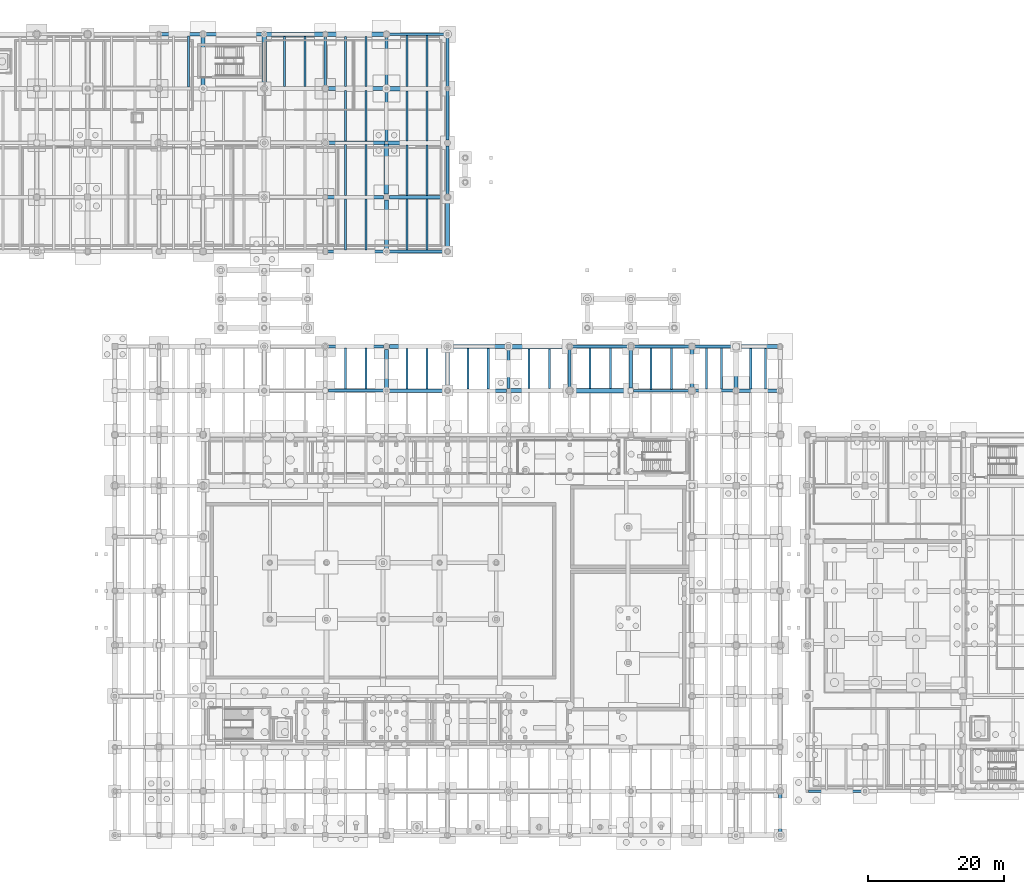
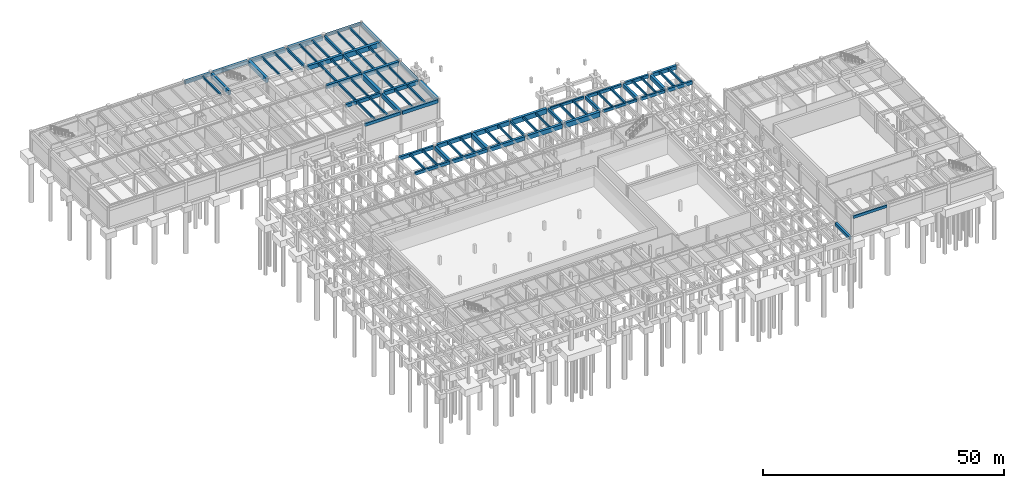
# One storey, part 25 of 36: 84 beams.
"""IFC4 building model written with IfcOpenShell, lengths in metres."""

import ifcopenshell
import ifcopenshell.guid

model = None  # the IFC model being written
_history = None  # IfcOwnerHistory: only IFC2X3 demands one
_inside = {}  # id of a spatial element -> (the spatial element, [elements in it])
_under = {}  # id of a project, library or spatial element -> (it, [spatial elements below it])
_declared = {}  # id of a project -> (the project, [libraries it declares])
_typed = {}  # id of a type object -> (the type object, [elements of that type])
_made_of = {}  # id of a material, layer set ... -> (it, [elements and type objects made of it])


def new_model(schema):
    """Start an empty IFC model of exactly this schema.

    Asked for "IFC4X3", IfcOpenShell would pick the latest addendum, in which some entities
    have other attributes; the version numbers below select the first issue.
    IFC2X3 requires an IfcOwnerHistory on every rooted entity: one is made here for all.
    """
    global model, _history
    if schema == "IFC4X3":
        model = ifcopenshell.file(schema_version=(4, 3, 0, 0))
    else:
        model = ifcopenshell.file(schema=schema)
    _inside.clear()
    _under.clear()
    _declared.clear()
    _typed.clear()
    _made_of.clear()
    _history = None
    if model.schema == "IFC2X3":
        org = make("IfcOrganization", Name="unknown")
        user = make(
            "IfcPersonAndOrganization",
            ThePerson=make("IfcPerson", FamilyName="unknown"),
            TheOrganization=org,
        )
        app = make(
            "IfcApplication",
            ApplicationDeveloper=org,
            Version="unknown",
            ApplicationFullName="unknown",
            ApplicationIdentifier="unknown",
        )
        _history = make(
            "IfcOwnerHistory",
            OwningUser=user,
            OwningApplication=app,
            ChangeAction="ADDED",
            CreationDate=0,
        )
    return model


def make(cls, **values):
    """One entity of the class cls with the attributes given. An attribute that is None is left unset."""
    return model.create_entity(
        cls, **{name: value for name, value in values.items() if value is not None}
    )


def rooted(cls, **values):
    """An entity with a GlobalId (a new one), such as an element, a storey or a relation."""
    return make(cls, GlobalId=ifcopenshell.guid.new(), OwnerHistory=_history, **values)


def si_unit(unit_type, name, prefix=None):
    """IfcSIUnit, for example si_unit("LENGTHUNIT", "METRE", prefix="MILLI")."""
    return make("IfcSIUnit", UnitType=unit_type, Prefix=prefix, Name=name)


def assignment(units):
    """IfcUnitAssignment: the units of a project."""
    return None if units is None else make("IfcUnitAssignment", Units=units)


def point(xyz):
    """IfcCartesianPoint."""
    return None if xyz is None else make("IfcCartesianPoint", Coordinates=xyz)


def direction(xyz):
    """IfcDirection."""
    return None if xyz is None else make("IfcDirection", DirectionRatios=xyz)


def frame(location, z_axis=None, x_axis=None):
    """IfcAxis2Placement3D, a coordinate frame: its origin and axes. An axis left out is left unset."""
    return make(
        "IfcAxis2Placement3D",
        Location=point(location),
        Axis=direction(z_axis),
        RefDirection=direction(x_axis),
    )


def frame_2d(location, x_axis=None):
    """IfcAxis2Placement2D, a coordinate frame in the plane: its origin and x axis."""
    return make(
        "IfcAxis2Placement2D", Location=point(location), RefDirection=direction(x_axis)
    )


def origin():
    """The frame at (0, 0, 0) with its axes left unset."""
    return frame((0.0, 0.0, 0.0))


def origin_2d():
    """The frame at (0, 0) in the plane with its x axis left unset."""
    return frame_2d((0.0, 0.0))


def place(relative_to, where):
    """IfcLocalPlacement: puts the frame where relative to a parent placement (None: the world)."""
    return make(
        "IfcLocalPlacement", PlacementRelTo=relative_to, RelativePlacement=where
    )


def context(
    kind, dimensions, precision=None, world=None, true_north=None, identifier=None
):
    """IfcGeometricRepresentationContext, for example the 3D "Model" context."""
    return make(
        "IfcGeometricRepresentationContext",
        ContextIdentifier=identifier,
        ContextType=kind,
        CoordinateSpaceDimension=dimensions,
        Precision=precision,
        WorldCoordinateSystem=world,
        TrueNorth=true_north,
    )


def subcontext(parent, identifier, kind, view, scale=None):
    """IfcGeometricRepresentationSubContext, for example "Body" below "Model"."""
    return make(
        "IfcGeometricRepresentationSubContext",
        ContextIdentifier=identifier,
        ContextType=kind,
        ParentContext=parent,
        TargetScale=scale,
        TargetView=view,
    )


def project(units=None, contexts=None):
    """IfcProject with its units and contexts."""
    return rooted(
        "IfcProject",
        Name="project",
        RepresentationContexts=contexts,
        UnitsInContext=assignment(units),
    )


def spatial(cls, under=None, at=None, **own):
    """A site, building, storey or space (cls), placed at a placement, below another one or the project."""
    s = rooted(cls, ObjectPlacement=at, **own)
    if under is not None:
        _under.setdefault(under.id(), (under, []))[1].append(s)
    return s


def profile(cls, at=None, kind="AREA", **sizes):
    """A parametric profile (cls). Its sizes go by their IFC names, for example OverallWidth=200.0."""
    return make(cls, ProfileType=kind, Position=at, **sizes)


def rectangle(**sizes):
    """IfcRectangleProfileDef."""
    return profile("IfcRectangleProfileDef", **sizes)


def extrude(swept, where, along, depth):
    """IfcExtrudedAreaSolid: the profile swept, set in the frame where, extruded along a direction by depth."""
    return make(
        "IfcExtrudedAreaSolid",
        SweptArea=swept,
        Position=where,
        ExtrudedDirection=direction(along),
        Depth=depth,
    )


def shape(context_of_items, identifier, shape_type, items):
    """IfcShapeRepresentation: the items that make up one representation, for example the "Body"."""
    return make(
        "IfcShapeRepresentation",
        ContextOfItems=context_of_items,
        RepresentationIdentifier=identifier,
        RepresentationType=shape_type,
        Items=items,
    )


def material(Name=None, Category=None):
    """IfcMaterial."""
    return make("IfcMaterial", Name=Name, Category=Category)


def material_profile(
    of_material, cross_section, Name=None, Category=None, Priority=None
):
    """IfcMaterialProfile: a cross section and its material."""
    return make(
        "IfcMaterialProfile",
        Name=Name,
        Material=of_material,
        Profile=cross_section,
        Priority=Priority,
        Category=Category,
    )


def profile_set(profiles, Name=None, composite=None):
    """IfcMaterialProfileSet."""
    return make(
        "IfcMaterialProfileSet",
        Name=Name,
        MaterialProfiles=profiles,
        CompositeProfile=composite,
    )


def made_of(thing, what):
    """Note that an element or type object is made of a material, layer set ...; save() writes the relation."""
    if what is not None:
        _made_of.setdefault(what.id(), (what, []))[1].append(thing)
    return thing


def type_object(cls, material=None, **own):
    """A type object (cls), such as IfcWallType, which elements share."""
    return made_of(rooted(cls, **own), material)


def element(
    cls,
    number,
    at=None,
    inside=None,
    cuts=None,
    type_object=None,
    material=None,
    context=None,
    identifier="Body",
    shape_type=None,
    held_by="IfcProductDefinitionShape",
    body=None,
    shapes=None,
    **own,
):
    """One element of the class cls, such as IfcWall. Its Tag is "e" and its number.

    at: its placement. inside: the storey or other place that contains it. cuts: it is an
    opening in that element (IfcRelVoidsElement). A single representation is given by context,
    identifier, shape_type and body (its items); several are given by shapes. held_by: the class
    of the entity that holds the representations. save() writes the other relations.
    """
    e = rooted(cls, Tag="e%d" % number, ObjectPlacement=at, **own)
    if body is not None:
        shapes = [shape(context, identifier, shape_type, body)]
    if shapes is not None:
        e.Representation = make(held_by, Representations=shapes)
    if inside is not None:
        _inside.setdefault(inside.id(), (inside, []))[1].append(e)
    if cuts is not None:
        rooted(
            "IfcRelVoidsElement", RelatingBuildingElement=cuts, RelatedOpeningElement=e
        )
    if type_object is not None:
        _typed.setdefault(type_object.id(), (type_object, []))[1].append(e)
    return made_of(e, material)


def aggregate(whole, parts):
    """IfcRelAggregates: a whole, such as a stair, and the parts it consists of."""
    return rooted("IfcRelAggregates", RelatingObject=whole, RelatedObjects=parts)


def save(model, path):
    """Write the relations noted so far, then the file.

    IfcRelAggregates (storeys below a building ...), IfcRelContainedInSpatialStructure (elements
    in a storey), IfcRelDefinesByType, IfcRelAssociatesMaterial and IfcRelDeclares: one each for
    every whole, place, type object, material and project.
    """
    for whole, parts in _under.values():
        aggregate(whole, parts)
    for where, things in _inside.values():
        rooted(
            "IfcRelContainedInSpatialStructure",
            RelatedElements=things,
            RelatingStructure=where,
        )
    for kind, things in _typed.values():
        rooted("IfcRelDefinesByType", RelatedObjects=things, RelatingType=kind)
    for what, things in _made_of.values():
        rooted("IfcRelAssociatesMaterial", RelatedObjects=things, RelatingMaterial=what)
    for by, libraries in _declared.values():
        rooted("IfcRelDeclares", RelatingContext=by, RelatedDefinitions=libraries)
    model.write(path)


model = new_model("IFC4")

# Units and contexts
model_context = context("Model", 3, precision=1e-05, world=origin(), true_north=direction((0.0, 1.0)))
body_context = subcontext(model_context, "Body", "Model", "MODEL_VIEW")
ifc_project = project(units=[si_unit("LENGTHUNIT", "METRE"), si_unit("AREAUNIT", "SQUARE_METRE"), si_unit("VOLUMEUNIT", "CUBIC_METRE"), si_unit("PLANEANGLEUNIT", "RADIAN"), si_unit("MASSUNIT", "GRAM", prefix="KILO"), si_unit("THERMODYNAMICTEMPERATUREUNIT", "KELVIN"), si_unit("POWERUNIT", "WATT")], contexts=[model_context])

# Site, building, storey
site_placement = place(None, origin())
site = spatial("IfcSite", under=ifc_project, at=site_placement, CompositionType="ELEMENT")
building_placement = place(site_placement, origin())
building = spatial("IfcBuilding", under=site, at=building_placement, Name="Tepalcoro Natatorium and Aquatics Centre", CompositionType="ELEMENT")
storey_placement = place(building_placement, frame((0.0, 0.0, -5.199951171875)))
storey = spatial("IfcBuildingStorey", under=building, at=storey_placement, Name="B1", CompositionType="ELEMENT", Elevation=-5.199951171875)

# Beams
ifc_material = material(Name="Concrete C40/50 (fc 40 MPa)", Category="concrete")
ifc_material_profile_1 = material_profile(ifc_material, rectangle(XDim=0.39990234375, YDim=0.64990234375, at=origin_2d()), Name="RCB400x650")
ifc_profile_set_1 = profile_set([ifc_material_profile_1], Name="Concrete C40/50 (fc 40 MPa)")
beam_type_1 = type_object("IfcBeamType", Name="BM_RC_400x650", PredefinedType="BEAM", material=ifc_profile_set_1)
beam_1_placement = place(storey_placement, frame((116.409912109375, 65.5, 4.579833984375), z_axis=(1.0, 0.0, 0.0), x_axis=(0.0, 1.0, 0.0)))
element("IfcBeam", 1, at=beam_1_placement, inside=storey, type_object=beam_type_1, Name="V1 B1 Grid Girder X", PredefinedType="BEAM", context=body_context, shape_type="SweptSolid", body=[
    extrude(rectangle(XDim=0.39990234375, YDim=0.64990234375, at=origin_2d()), origin(), (0.0, 0.0, 1.0), 8.130126953125),
])
beam_2_placement = place(storey_placement, frame((107.31005859375, 72.0, 4.43994140625), z_axis=(1.0, 0.0, 0.0), x_axis=(0.0, 1.0, 0.0)))
element("IfcBeam", 2, at=beam_2_placement, inside=storey, type_object=beam_type_1, Name="V1 B1 Grid Girder X", PredefinedType="BEAM", context=body_context, shape_type="SweptSolid", body=[
    extrude(rectangle(XDim=0.39990234375, YDim=0.64990234375, at=origin_2d()), origin(), (0.0, 0.0, 1.0), 8.329833984375),
])
beam_3_placement = place(storey_placement, frame((98.0, 65.81005859375, 4.579833984375), z_axis=(0.0, 1.0, 0.0), x_axis=(-1.0, 0.0, 0.0)))
element("IfcBeam", 3, at=beam_3_placement, inside=storey, type_object=beam_type_1, Name="V1 B1 Grid Girder Y", PredefinedType="BEAM", context=body_context, shape_type="SweptSolid", body=[
    extrude(rectangle(XDim=0.39990234375, YDim=0.64990234375, at=origin_2d()), origin(), (0.0, 0.0, 1.0), 5.929931640625),
])
beam_4_placement = place(storey_placement, frame((142.18505859375, 6.5, 4.579833984375), z_axis=(1.0, 0.0, 0.0), x_axis=(0.0, 1.0, 0.0)))
element("IfcBeam", 4, at=beam_4_placement, inside=storey, type_object=beam_type_1, Name="V2 B1 Grid Girder X", PredefinedType="BEAM", context=body_context, shape_type="SweptSolid", body=[
    extrude(rectangle(XDim=0.39990234375, YDim=0.64990234375, at=origin_2d()), origin(), (0.0, 0.0, 1.0), 8.079833984375),
])
beam_5_placement = place(storey_placement, frame((80.43505859375, 118.0, 4.599853515625), z_axis=(1.0, 0.0, 0.0), x_axis=(0.0, 1.0, 0.0)))
element("IfcBeam", 5, at=beam_5_placement, inside=storey, type_object=beam_type_1, Name="V4 B1 Grid Girder X", PredefinedType="BEAM", context=body_context, shape_type="SweptSolid", body=[
    extrude(rectangle(XDim=0.39990234375, YDim=0.64990234375, at=origin_2d()), origin(), (0.0, 0.0, 1.0), 8.35498046875),
])
beam_6_placement = place(storey_placement, frame((71.0, 110.43505859375, 4.599853515625), z_axis=(0.0, 1.0, 0.0), x_axis=(-1.0, 0.0, 0.0)))
element("IfcBeam", 6, at=beam_6_placement, inside=storey, type_object=beam_type_1, Name="V4 B1 Grid Girder Y", PredefinedType="BEAM", context=body_context, shape_type="SweptSolid", body=[
    extrude(rectangle(XDim=0.39990234375, YDim=0.64990234375, at=origin_2d()), origin(), (0.0, 0.0, 1.0), 7.22998046875),
])
beam_7_placement = place(storey_placement, frame((80.0, 102.18505859375, 4.599853515625), z_axis=(0.0, 1.0, 0.0), x_axis=(-1.0, 0.0, 0.0)))
element("IfcBeam", 7, at=beam_7_placement, inside=storey, type_object=beam_type_1, Name="V4 B1 Grid Girder Y", PredefinedType="BEAM", context=body_context, shape_type="SweptSolid", body=[
    extrude(rectangle(XDim=0.39990234375, YDim=0.64990234375, at=origin_2d()), origin(), (0.0, 0.0, 1.0), 7.60498046875),
])
beam_8_placement = place(storey_placement, frame((89.0, 94.385009765625, 4.43994140625), z_axis=(0.0, 1.0, 0.0), x_axis=(-1.0, 0.0, 0.0)))
element("IfcBeam", 8, at=beam_8_placement, inside=storey, type_object=beam_type_1, Name="V4 B1 Grid Girder Y", PredefinedType="BEAM", context=body_context, shape_type="SweptSolid", body=[
    extrude(rectangle(XDim=0.39990234375, YDim=0.64990234375, at=origin_2d()), origin(), (0.0, 0.0, 1.0), 7.179931640625),
])
ifc_material_profile_2 = material_profile(ifc_material, rectangle(XDim=0.449951171875, YDim=0.75, at=origin_2d()), Name="RCB450x750")
ifc_profile_set_2 = profile_set([ifc_material_profile_2], Name="Concrete C40/50 (fc 40 MPa)")
beam_type_2 = type_object("IfcBeamType", Name="BM_RC_450x750", PredefinedType="BEAM", material=ifc_profile_set_2)
beam_9_placement = place(storey_placement, frame((71.43505859375, 65.5, 4.530029296875), z_axis=(1.0, 0.0, 0.0), x_axis=(0.0, 1.0, 0.0)))
element("IfcBeam", 9, at=beam_9_placement, inside=storey, type_object=beam_type_2, Name="V1 B1 Grid Girder X", PredefinedType="BEAM", context=body_context, shape_type="SweptSolid", body=[
    extrude(rectangle(XDim=0.449951171875, YDim=0.75, at=origin_2d()), origin(), (0.0, 0.0, 1.0), 8.35498046875),
])
beam_10_placement = place(storey_placement, frame((125.4599609375, 65.5, 4.530029296875), z_axis=(1.0, 0.0, 0.0), x_axis=(0.0, 1.0, 0.0)))
element("IfcBeam", 10, at=beam_10_placement, inside=storey, type_object=beam_type_2, Name="V1 B1 Grid Girder X", PredefinedType="BEAM", context=body_context, shape_type="SweptSolid", body=[
    extrude(rectangle(XDim=0.449951171875, YDim=0.75, at=origin_2d()), origin(), (0.0, 0.0, 1.0), 5.755126953125),
])
beam_11_placement = place(storey_placement, frame((116.360107421875, 72.0, 4.389892578125), z_axis=(1.0, 0.0, 0.0), x_axis=(0.0, 1.0, 0.0)))
element("IfcBeam", 11, at=beam_11_placement, inside=storey, type_object=beam_type_2, Name="V1 B1 Grid Girder X", PredefinedType="BEAM", context=body_context, shape_type="SweptSolid", body=[
    extrude(rectangle(XDim=0.449951171875, YDim=0.75, at=origin_2d()), origin(), (0.0, 0.0, 1.0), 8.22998046875),
])
beam_12_placement = place(storey_placement, frame((107.0, 65.860107421875, 4.530029296875), z_axis=(0.0, 1.0, 0.0), x_axis=(-1.0, 0.0, 0.0)))
element("IfcBeam", 12, at=beam_12_placement, inside=storey, type_object=beam_type_2, Name="V1 B1 Grid Girder Y", PredefinedType="BEAM", context=body_context, shape_type="SweptSolid", body=[
    extrude(rectangle(XDim=0.449951171875, YDim=0.75, at=origin_2d()), origin(), (0.0, 0.0, 1.0), 5.829833984375),
])
beam_13_placement = place(storey_placement, frame((71.284912109375, 86.0, 4.550048828125), z_axis=(1.0, 0.0, 0.0), x_axis=(0.0, 1.0, 0.0)))
element("IfcBeam", 13, at=beam_13_placement, inside=storey, type_object=beam_type_2, Name="V4 B1 Grid Girder X", PredefinedType="BEAM", context=body_context, shape_type="SweptSolid", body=[
    extrude(rectangle(XDim=0.449951171875, YDim=0.75, at=origin_2d()), origin(), (0.0, 0.0, 1.0), 8.47998046875),
])
beam_14_placement = place(storey_placement, frame((80.0, 110.2099609375, 4.550048828125), z_axis=(0.0, 1.0, 0.0), x_axis=(-1.0, 0.0, 0.0)))
element("IfcBeam", 14, at=beam_14_placement, inside=storey, type_object=beam_type_2, Name="V4 B1 Grid Girder Y", PredefinedType="BEAM", context=body_context, shape_type="SweptSolid", body=[
    extrude(rectangle(XDim=0.449951171875, YDim=0.75, at=origin_2d()), origin(), (0.0, 0.0, 1.0), 7.35498046875),
])
beam_15_placement = place(storey_placement, frame((89.0, 102.43505859375, 4.550048828125), z_axis=(0.0, 1.0, 0.0), x_axis=(-1.0, 0.0, 0.0)))
element("IfcBeam", 15, at=beam_15_placement, inside=storey, type_object=beam_type_2, Name="V4 B1 Grid Girder Y", PredefinedType="BEAM", context=body_context, shape_type="SweptSolid", body=[
    extrude(rectangle(XDim=0.449951171875, YDim=0.75, at=origin_2d()), origin(), (0.0, 0.0, 1.0), 7.3798828125),
])
ifc_material_profile_3 = material_profile(ifc_material, rectangle(XDim=0.5, YDim=0.85009765625, at=origin_2d()), Name="RCB500x850")
ifc_profile_set_3 = profile_set([ifc_material_profile_3], Name="Concrete C40/50 (fc 40 MPa)")
beam_type_3 = type_object("IfcBeamType", Name="BM_RC_500x850", PredefinedType="BEAM", material=ifc_profile_set_3)
beam_16_placement = place(storey_placement, frame((80.2099609375, 65.5, 4.47998046875), z_axis=(1.0, 0.0, 0.0), x_axis=(0.0, 1.0, 0.0)))
element("IfcBeam", 16, at=beam_16_placement, inside=storey, type_object=beam_type_3, Name="V1 B1 Grid Girder X", PredefinedType="BEAM", context=body_context, shape_type="SweptSolid", body=[
    extrude(rectangle(XDim=0.5, YDim=0.85009765625, at=origin_2d()), origin(), (0.0, 0.0, 1.0), 8.530029296875),
])
beam_17_placement = place(storey_placement, frame((131.784912109375, 65.5, 4.47998046875), z_axis=(1.0, 0.0, 0.0), x_axis=(0.0, 1.0, 0.0)))
element("IfcBeam", 17, at=beam_17_placement, inside=storey, type_object=beam_type_3, Name="V1 B1 Grid Girder X", PredefinedType="BEAM", context=body_context, shape_type="SweptSolid", body=[
    extrude(rectangle(XDim=0.5, YDim=0.85009765625, at=origin_2d()), origin(), (0.0, 0.0, 1.0), 5.97998046875),
])
beam_18_placement = place(storey_placement, frame((71.3349609375, 72.0, 4.47998046875), z_axis=(1.0, 0.0, 0.0), x_axis=(0.0, 1.0, 0.0)))
element("IfcBeam", 18, at=beam_18_placement, inside=storey, type_object=beam_type_3, Name="V1 B1 Grid Girder X", PredefinedType="BEAM", context=body_context, shape_type="SweptSolid", body=[
    extrude(rectangle(XDim=0.5, YDim=0.85009765625, at=origin_2d()), origin(), (0.0, 0.0, 1.0), 8.22998046875),
])
beam_19_placement = place(storey_placement, frame((125.409912109375, 72.0, 4.47998046875), z_axis=(1.0, 0.0, 0.0), x_axis=(0.0, 1.0, 0.0)))
element("IfcBeam", 19, at=beam_19_placement, inside=storey, type_object=beam_type_3, Name="V1 B1 Grid Girder X", PredefinedType="BEAM", context=body_context, shape_type="SweptSolid", body=[
    extrude(rectangle(XDim=0.5, YDim=0.85009765625, at=origin_2d()), origin(), (0.0, 0.0, 1.0), 5.630126953125),
])
beam_20_placement = place(storey_placement, frame((116.0, 65.909912109375, 4.47998046875), z_axis=(0.0, 1.0, 0.0), x_axis=(-1.0, 0.0, 0.0)))
element("IfcBeam", 20, at=beam_20_placement, inside=storey, type_object=beam_type_3, Name="V1 B1 Grid Girder Y", PredefinedType="BEAM", context=body_context, shape_type="SweptSolid", body=[
    extrude(rectangle(XDim=0.5, YDim=0.85009765625, at=origin_2d()), origin(), (0.0, 0.0, 1.0), 5.72998046875),
])
beam_21_placement = place(storey_placement, frame((138.0, 0.260009765625, 4.47998046875), z_axis=(0.0, 1.0, 0.0), x_axis=(-1.0, 0.0, 0.0)))
element("IfcBeam", 21, at=beam_21_placement, inside=storey, type_object=beam_type_3, Name="V1 B1 Grid Girder Y", PredefinedType="BEAM", context=body_context, shape_type="SweptSolid", body=[
    extrude(rectangle(XDim=0.5, YDim=0.85009765625, at=origin_2d()), origin(), (0.0, 0.0, 1.0), 5.955078125),
])
beam_22_placement = place(storey_placement, frame((80.235107421875, 86.0, 4.5), z_axis=(1.0, 0.0, 0.0), x_axis=(0.0, 1.0, 0.0)))
element("IfcBeam", 22, at=beam_22_placement, inside=storey, type_object=beam_type_3, Name="V4 B1 Grid Girder X", PredefinedType="BEAM", context=body_context, shape_type="SweptSolid", body=[
    extrude(rectangle(XDim=0.5, YDim=0.85009765625, at=origin_2d()), origin(), (0.0, 0.0, 1.0), 8.429931640625),
])
beam_23_placement = place(storey_placement, frame((71.3349609375, 94.0, 4.5), z_axis=(1.0, 0.0, 0.0), x_axis=(0.0, 1.0, 0.0)))
element("IfcBeam", 23, at=beam_23_placement, inside=storey, type_object=beam_type_3, Name="V4 B1 Grid Girder X", PredefinedType="BEAM", context=body_context, shape_type="SweptSolid", body=[
    extrude(rectangle(XDim=0.5, YDim=0.85009765625, at=origin_2d()), origin(), (0.0, 0.0, 1.0), 8.22998046875),
])
beam_24_placement = place(storey_placement, frame((46.735107421875, 118.0, 4.5), z_axis=(1.0, 0.0, 0.0), x_axis=(0.0, 1.0, 0.0)))
element("IfcBeam", 24, at=beam_24_placement, inside=storey, type_object=beam_type_3, Name="V4 B1 Grid Girder X", PredefinedType="BEAM", context=body_context, shape_type="SweptSolid", body=[
    extrude(rectangle(XDim=0.5, YDim=0.85009765625, at=origin_2d()), origin(), (0.0, 0.0, 1.0), 5.97998046875),
])
beam_25_placement = place(storey_placement, frame((89.0, 110.18505859375, 4.5), z_axis=(0.0, 1.0, 0.0), x_axis=(-1.0, 0.0, 0.0)))
element("IfcBeam", 25, at=beam_25_placement, inside=storey, type_object=beam_type_3, Name="V4 B1 Grid Girder Y", PredefinedType="BEAM", context=body_context, shape_type="SweptSolid", body=[
    extrude(rectangle(XDim=0.5, YDim=0.85009765625, at=origin_2d()), origin(), (0.0, 0.0, 1.0), 7.60498046875),
])
ifc_material_profile_4 = material_profile(ifc_material, rectangle(XDim=0.550048828125, YDim=0.949951171875, at=origin_2d()), Name="RCB550x950")
ifc_profile_set_4 = profile_set([ifc_material_profile_4], Name="Concrete C40/50 (fc 40 MPa)")
beam_type_4 = type_object("IfcBeamType", Name="BM_RC_550x950", PredefinedType="BEAM", material=ifc_profile_set_4)
beam_26_placement = place(storey_placement, frame((89.260009765625, 65.5, 4.429931640625), z_axis=(1.0, 0.0, 0.0), x_axis=(0.0, 1.0, 0.0)))
element("IfcBeam", 26, at=beam_26_placement, inside=storey, type_object=beam_type_4, Name="V1 B1 Grid Girder X", PredefinedType="BEAM", context=body_context, shape_type="SweptSolid", body=[
    extrude(rectangle(XDim=0.550048828125, YDim=0.949951171875, at=origin_2d()), origin(), (0.0, 0.0, 1.0), 8.429931640625),
])
beam_27_placement = place(storey_placement, frame((80.43505859375, 72.0, 4.429931640625), z_axis=(1.0, 0.0, 0.0), x_axis=(0.0, 1.0, 0.0)))
element("IfcBeam", 27, at=beam_27_placement, inside=storey, type_object=beam_type_4, Name="V1 B1 Grid Girder X", PredefinedType="BEAM", context=body_context, shape_type="SweptSolid", body=[
    extrude(rectangle(XDim=0.550048828125, YDim=0.949951171875, at=origin_2d()), origin(), (0.0, 0.0, 1.0), 8.35498046875),
])
beam_28_placement = place(storey_placement, frame((131.9599609375, 72.0, 4.429931640625), z_axis=(1.0, 0.0, 0.0), x_axis=(0.0, 1.0, 0.0)))
element("IfcBeam", 28, at=beam_28_placement, inside=storey, type_object=beam_type_4, Name="V1 B1 Grid Girder X", PredefinedType="BEAM", context=body_context, shape_type="SweptSolid", body=[
    extrude(rectangle(XDim=0.550048828125, YDim=0.949951171875, at=origin_2d()), origin(), (0.0, 0.0, 1.0), 5.755126953125),
])
beam_29_placement = place(storey_placement, frame((125.0, 65.9599609375, 4.429931640625), z_axis=(0.0, 1.0, 0.0), x_axis=(-1.0, 0.0, 0.0)))
element("IfcBeam", 29, at=beam_29_placement, inside=storey, type_object=beam_type_4, Name="V1 B1 Grid Girder Y", PredefinedType="BEAM", context=body_context, shape_type="SweptSolid", body=[
    extrude(rectangle(XDim=0.550048828125, YDim=0.949951171875, at=origin_2d()), origin(), (0.0, 0.0, 1.0), 5.630126953125),
])
beam_30_placement = place(storey_placement, frame((80.43505859375, 94.0, 4.449951171875), z_axis=(1.0, 0.0, 0.0), x_axis=(0.0, 1.0, 0.0)))
element("IfcBeam", 30, at=beam_30_placement, inside=storey, type_object=beam_type_4, Name="V4 B1 Grid Girder X", PredefinedType="BEAM", context=body_context, shape_type="SweptSolid", body=[
    extrude(rectangle(XDim=0.550048828125, YDim=0.949951171875, at=origin_2d()), origin(), (0.0, 0.0, 1.0), 8.179931640625),
])
beam_31_placement = place(storey_placement, frame((71.385009765625, 102.0, 4.449951171875), z_axis=(1.0, 0.0, 0.0), x_axis=(0.0, 1.0, 0.0)))
element("IfcBeam", 31, at=beam_31_placement, inside=storey, type_object=beam_type_4, Name="V4 B1 Grid Girder X", PredefinedType="BEAM", context=body_context, shape_type="SweptSolid", body=[
    extrude(rectangle(XDim=0.550048828125, YDim=0.949951171875, at=origin_2d()), origin(), (0.0, 0.0, 1.0), 8.429931640625),
])
beam_32_placement = place(storey_placement, frame((53.284912109375, 118.0, 4.449951171875), z_axis=(1.0, 0.0, 0.0), x_axis=(0.0, 1.0, 0.0)))
element("IfcBeam", 32, at=beam_32_placement, inside=storey, type_object=beam_type_4, Name="V4 B1 Grid Girder X", PredefinedType="BEAM", context=body_context, shape_type="SweptSolid", body=[
    extrude(rectangle(XDim=0.550048828125, YDim=0.949951171875, at=origin_2d()), origin(), (0.0, 0.0, 1.0), 8.47998046875),
])
ifc_material_profile_5 = material_profile(ifc_material, rectangle(XDim=0.60009765625, YDim=1.10009765625, at=origin_2d()), Name="RCB600x1100")
ifc_profile_set_5 = profile_set([ifc_material_profile_5], Name="Concrete C40/50 (fc 40 MPa)")
beam_type_5 = type_object("IfcBeamType", Name="BM_RC_600x1100", PredefinedType="BEAM", material=ifc_profile_set_5)
beam_33_placement = place(storey_placement, frame((98.31005859375, 65.5, 4.35498046875), z_axis=(1.0, 0.0, 0.0), x_axis=(0.0, 1.0, 0.0)))
element("IfcBeam", 33, at=beam_33_placement, inside=storey, type_object=beam_type_5, Name="V1 B1 Grid Girder X", PredefinedType="BEAM", context=body_context, shape_type="SweptSolid", body=[
    extrude(rectangle(XDim=0.60009765625, YDim=1.10009765625, at=origin_2d()), origin(), (0.0, 0.0, 1.0), 8.329833984375),
])
beam_34_placement = place(storey_placement, frame((89.2099609375, 72.0, 4.35498046875), z_axis=(1.0, 0.0, 0.0), x_axis=(0.0, 1.0, 0.0)))
element("IfcBeam", 34, at=beam_34_placement, inside=storey, type_object=beam_type_5, Name="V1 B1 Grid Girder X", PredefinedType="BEAM", context=body_context, shape_type="SweptSolid", body=[
    extrude(rectangle(XDim=0.60009765625, YDim=1.10009765625, at=origin_2d()), origin(), (0.0, 0.0, 1.0), 8.530029296875),
])
beam_35_placement = place(storey_placement, frame((80.0, 65.7099609375, 4.35498046875), z_axis=(0.0, 1.0, 0.0), x_axis=(-1.0, 0.0, 0.0)))
element("IfcBeam", 35, at=beam_35_placement, inside=storey, type_object=beam_type_5, Name="V1 B1 Grid Girder Y", PredefinedType="BEAM", context=body_context, shape_type="SweptSolid", body=[
    extrude(rectangle(XDim=0.60009765625, YDim=1.10009765625, at=origin_2d()), origin(), (0.0, 0.0, 1.0), 5.85498046875),
])
beam_36_placement = place(storey_placement, frame((131.5, 65.885009765625, 4.35498046875), z_axis=(0.0, 1.0, 0.0), x_axis=(-1.0, 0.0, 0.0)))
element("IfcBeam", 36, at=beam_36_placement, inside=storey, type_object=beam_type_5, Name="V1 B1 Grid Girder Y", PredefinedType="BEAM", context=body_context, shape_type="SweptSolid", body=[
    extrude(rectangle(XDim=0.60009765625, YDim=1.10009765625, at=origin_2d()), origin(), (0.0, 0.0, 1.0), 5.655029296875),
])
beam_37_placement = place(storey_placement, frame((80.18505859375, 102.0, 4.375), z_axis=(1.0, 0.0, 0.0), x_axis=(0.0, 1.0, 0.0)))
element("IfcBeam", 37, at=beam_37_placement, inside=storey, type_object=beam_type_5, Name="V4 B1 Grid Girder X", PredefinedType="BEAM", context=body_context, shape_type="SweptSolid", body=[
    extrude(rectangle(XDim=0.60009765625, YDim=1.10009765625, at=origin_2d()), origin(), (0.0, 0.0, 1.0), 8.3798828125),
])
beam_38_placement = place(storey_placement, frame((71.43505859375, 110.0, 4.375), z_axis=(1.0, 0.0, 0.0), x_axis=(0.0, 1.0, 0.0)))
element("IfcBeam", 38, at=beam_38_placement, inside=storey, type_object=beam_type_5, Name="V4 B1 Grid Girder X", PredefinedType="BEAM", context=body_context, shape_type="SweptSolid", body=[
    extrude(rectangle(XDim=0.60009765625, YDim=1.10009765625, at=origin_2d()), origin(), (0.0, 0.0, 1.0), 8.35498046875),
])
beam_39_placement = place(storey_placement, frame((62.235107421875, 118.0, 4.375), z_axis=(1.0, 0.0, 0.0), x_axis=(0.0, 1.0, 0.0)))
element("IfcBeam", 39, at=beam_39_placement, inside=storey, type_object=beam_type_5, Name="V4 B1 Grid Girder X", PredefinedType="BEAM", context=body_context, shape_type="SweptSolid", body=[
    extrude(rectangle(XDim=0.60009765625, YDim=1.10009765625, at=origin_2d()), origin(), (0.0, 0.0, 1.0), 8.429931640625),
])
for number, where, z_axis, x_axis, name in (
    (40, (53.0, 110.235107421875, 4.375), (0.0, 1.0, 0.0), (-1.0, 0.0, 0.0), "V4 B1 Grid Girder Y"),
    (41, (80.0, 86.235107421875, 4.375), (0.0, 1.0, 0.0), (-1.0, 0.0, 0.0), "V4 B1 Grid Girder Y"),
):
    element("IfcBeam", number, at=place(storey_placement, frame(where, z_axis=z_axis, x_axis=x_axis)), inside=storey, type_object=beam_type_5, Name=name, PredefinedType="BEAM", context=body_context, shape_type="SweptSolid", body=[
        extrude(rectangle(XDim=0.60009765625, YDim=1.10009765625, at=origin_2d()), origin(), (0.0, 0.0, 1.0), 7.329833984375),
    ])
ifc_material_profile_6 = material_profile(ifc_material, rectangle(XDim=0.64990234375, YDim=1.25, at=origin_2d()), Name="RCB650x1250")
ifc_profile_set_6 = profile_set([ifc_material_profile_6], Name="Concrete C40/50 (fc 40 MPa)")
beam_type_6 = type_object("IfcBeamType", Name="BM_RC_650x1250", PredefinedType="BEAM", material=ifc_profile_set_6)
beam_40_placement = place(storey_placement, frame((107.360107421875, 65.5, 4.280029296875), z_axis=(1.0, 0.0, 0.0), x_axis=(0.0, 1.0, 0.0)))
element("IfcBeam", 42, at=beam_40_placement, inside=storey, type_object=beam_type_6, Name="V1 B1 Grid Girder X", PredefinedType="BEAM", context=body_context, shape_type="SweptSolid", body=[
    extrude(rectangle(XDim=0.64990234375, YDim=1.25, at=origin_2d()), origin(), (0.0, 0.0, 1.0), 8.22998046875),
])
beam_41_placement = place(storey_placement, frame((98.260009765625, 72.0, 4.280029296875), z_axis=(1.0, 0.0, 0.0), x_axis=(0.0, 1.0, 0.0)))
element("IfcBeam", 43, at=beam_41_placement, inside=storey, type_object=beam_type_6, Name="V1 B1 Grid Girder X", PredefinedType="BEAM", context=body_context, shape_type="SweptSolid", body=[
    extrude(rectangle(XDim=0.64990234375, YDim=1.25, at=origin_2d()), origin(), (0.0, 0.0, 1.0), 8.429931640625),
])
beam_42_placement = place(storey_placement, frame((89.0, 65.760009765625, 4.280029296875), z_axis=(0.0, 1.0, 0.0), x_axis=(-1.0, 0.0, 0.0)))
element("IfcBeam", 44, at=beam_42_placement, inside=storey, type_object=beam_type_6, Name="V1 B1 Grid Girder Y", PredefinedType="BEAM", context=body_context, shape_type="SweptSolid", body=[
    extrude(rectangle(XDim=0.64990234375, YDim=1.25, at=origin_2d()), origin(), (0.0, 0.0, 1.0), 6.030029296875),
])
beam_43_placement = place(storey_placement, frame((80.2099609375, 110.0, 4.300048828125), z_axis=(1.0, 0.0, 0.0), x_axis=(0.0, 1.0, 0.0)))
element("IfcBeam", 45, at=beam_43_placement, inside=storey, type_object=beam_type_6, Name="V4 B1 Grid Girder X", PredefinedType="BEAM", context=body_context, shape_type="SweptSolid", body=[
    extrude(rectangle(XDim=0.64990234375, YDim=1.25, at=origin_2d()), origin(), (0.0, 0.0, 1.0), 8.60498046875),
])
beam_44_placement = place(storey_placement, frame((71.3349609375, 118.0, 4.300048828125), z_axis=(1.0, 0.0, 0.0), x_axis=(0.0, 1.0, 0.0)))
element("IfcBeam", 46, at=beam_44_placement, inside=storey, type_object=beam_type_6, Name="V4 B1 Grid Girder X", PredefinedType="BEAM", context=body_context, shape_type="SweptSolid", body=[
    extrude(rectangle(XDim=0.64990234375, YDim=1.25, at=origin_2d()), origin(), (0.0, 0.0, 1.0), 8.22998046875),
])
beam_45_placement = place(storey_placement, frame((62.0, 110.3349609375, 4.300048828125), z_axis=(0.0, 1.0, 0.0), x_axis=(-1.0, 0.0, 0.0)))
element("IfcBeam", 47, at=beam_45_placement, inside=storey, type_object=beam_type_6, Name="V4 B1 Grid Girder Y", PredefinedType="BEAM", context=body_context, shape_type="SweptSolid", body=[
    extrude(rectangle(XDim=0.64990234375, YDim=1.25, at=origin_2d()), origin(), (0.0, 0.0, 1.0), 7.429931640625),
])
beam_46_placement = place(storey_placement, frame((80.0, 94.43505859375, 4.300048828125), z_axis=(0.0, 1.0, 0.0), x_axis=(-1.0, 0.0, 0.0)))
element("IfcBeam", 48, at=beam_46_placement, inside=storey, type_object=beam_type_6, Name="V4 B1 Grid Girder Y", PredefinedType="BEAM", context=body_context, shape_type="SweptSolid", body=[
    extrude(rectangle(XDim=0.64990234375, YDim=1.25, at=origin_2d()), origin(), (0.0, 0.0, 1.0), 7.3798828125),
])
beam_47_placement = place(storey_placement, frame((89.0, 86.3349609375, 4.300048828125), z_axis=(0.0, 1.0, 0.0), x_axis=(-1.0, 0.0, 0.0)))
element("IfcBeam", 49, at=beam_47_placement, inside=storey, type_object=beam_type_6, Name="V4 B1 Grid Girder Y", PredefinedType="BEAM", context=body_context, shape_type="SweptSolid", body=[
    extrude(rectangle(XDim=0.64990234375, YDim=1.25, at=origin_2d()), origin(), (0.0, 0.0, 1.0), 7.280029296875),
])
ifc_material_profile_7 = material_profile(ifc_material, rectangle(XDim=0.300048828125, YDim=0.550048828125, at=origin_2d()), Name="RCJ300x550")
ifc_profile_set_7 = profile_set([ifc_material_profile_7], Name="Concrete C40/50 (fc 40 MPa)")
beam_type_7 = type_object("IfcBeamType", Name="JS_RC_300x550", PredefinedType="JOIST", material=ifc_profile_set_7)
for number, where, z_axis, x_axis, name in (
    (50, (74.0, 65.72509765625, 4.6298828125), (0.0, 1.0, 0.0), (-1.0, 0.0, 0.0), "V1 B1 Floor Joist"),
    (51, (77.0, 65.72509765625, 4.6298828125), (0.0, 1.0, 0.0), (-1.0, 0.0, 0.0), "V1 B1 Floor Joist"),
):
    element("IfcBeam", number, at=place(storey_placement, frame(where, z_axis=z_axis, x_axis=x_axis)), inside=storey, type_object=beam_type_7, Name=name, PredefinedType="JOIST", context=body_context, shape_type="SweptSolid", body=[
        extrude(rectangle(XDim=0.300048828125, YDim=0.550048828125, at=origin_2d()), origin(), (0.0, 0.0, 1.0), 6.02490234375),
    ])
for number, where, z_axis, x_axis, name in (
    (52, (83.0, 65.75, 4.6298828125), (0.0, 1.0, 0.0), (-1.0, 0.0, 0.0), "V1 B1 Floor Joist"),
    (53, (86.0, 65.75, 4.6298828125), (0.0, 1.0, 0.0), (-1.0, 0.0, 0.0), "V1 B1 Floor Joist"),
):
    element("IfcBeam", number, at=place(storey_placement, frame(where, z_axis=z_axis, x_axis=x_axis)), inside=storey, type_object=beam_type_7, Name=name, PredefinedType="JOIST", context=body_context, shape_type="SweptSolid", body=[
        extrude(rectangle(XDim=0.300048828125, YDim=0.550048828125, at=origin_2d()), origin(), (0.0, 0.0, 1.0), 5.97509765625),
    ])
for number, where, z_axis, x_axis, name in (
    (54, (92.0, 65.77490234375, 4.6298828125), (0.0, 1.0, 0.0), (-1.0, 0.0, 0.0), "V1 B1 Floor Joist"),
    (55, (95.0, 65.77490234375, 4.6298828125), (0.0, 1.0, 0.0), (-1.0, 0.0, 0.0), "V1 B1 Floor Joist"),
):
    element("IfcBeam", number, at=place(storey_placement, frame(where, z_axis=z_axis, x_axis=x_axis)), inside=storey, type_object=beam_type_7, Name=name, PredefinedType="JOIST", context=body_context, shape_type="SweptSolid", body=[
        extrude(rectangle(XDim=0.300048828125, YDim=0.550048828125, at=origin_2d()), origin(), (0.0, 0.0, 1.0), 5.925048828125),
    ])
for number, where, z_axis, x_axis, name in (
    (56, (101.0, 65.800048828125, 4.6298828125), (0.0, 1.0, 0.0), (-1.0, 0.0, 0.0), "V1 B1 Floor Joist"),
    (57, (104.0, 65.800048828125, 4.6298828125), (0.0, 1.0, 0.0), (-1.0, 0.0, 0.0), "V1 B1 Floor Joist"),
):
    element("IfcBeam", number, at=place(storey_placement, frame(where, z_axis=z_axis, x_axis=x_axis)), inside=storey, type_object=beam_type_7, Name=name, PredefinedType="JOIST", context=body_context, shape_type="SweptSolid", body=[
        extrude(rectangle(XDim=0.300048828125, YDim=0.550048828125, at=origin_2d()), origin(), (0.0, 0.0, 1.0), 5.875),
    ])
for number, where, z_axis, x_axis, name in (
    (58, (110.0, 65.824951171875, 4.489990234375), (0.0, 1.0, 0.0), (-1.0, 0.0, 0.0), "V1 B1 Floor Joist"),
    (59, (113.0, 65.824951171875, 4.489990234375), (0.0, 1.0, 0.0), (-1.0, 0.0, 0.0), "V1 B1 Floor Joist"),
):
    element("IfcBeam", number, at=place(storey_placement, frame(where, z_axis=z_axis, x_axis=x_axis)), inside=storey, type_object=beam_type_7, Name=name, PredefinedType="JOIST", context=body_context, shape_type="SweptSolid", body=[
        extrude(rectangle(XDim=0.300048828125, YDim=0.550048828125, at=origin_2d()), origin(), (0.0, 0.0, 1.0), 5.97509765625),
    ])
for number, where, z_axis, x_axis, name in (
    (60, (119.0, 65.699951171875, 4.489990234375), (0.0, 1.0, 0.0), (-1.0, 0.0, 0.0), "V1 B1 Floor Joist"),
    (61, (122.0, 65.699951171875, 4.489990234375), (0.0, 1.0, 0.0), (-1.0, 0.0, 0.0), "V1 B1 Floor Joist"),
):
    element("IfcBeam", number, at=place(storey_placement, frame(where, z_axis=z_axis, x_axis=x_axis)), inside=storey, type_object=beam_type_7, Name=name, PredefinedType="JOIST", context=body_context, shape_type="SweptSolid", body=[
        extrude(rectangle(XDim=0.300048828125, YDim=0.550048828125, at=origin_2d()), origin(), (0.0, 0.0, 1.0), 6.074951171875),
    ])
for number, where, z_axis, x_axis, name in (
    (62, (127.166748046875, 65.72509765625, 4.6298828125), (0.0, 1.0, 0.0), (-1.0, 0.0, 0.0), "V1 B1 Floor Joist"),
    (63, (129.333251953125, 65.72509765625, 4.6298828125), (0.0, 1.0, 0.0), (-1.0, 0.0, 0.0), "V1 B1 Floor Joist"),
):
    element("IfcBeam", number, at=place(storey_placement, frame(where, z_axis=z_axis, x_axis=x_axis)), inside=storey, type_object=beam_type_7, Name=name, PredefinedType="JOIST", context=body_context, shape_type="SweptSolid", body=[
        extrude(rectangle(XDim=0.300048828125, YDim=0.550048828125, at=origin_2d()), origin(), (0.0, 0.0, 1.0), 6.02490234375),
    ])
for number, where, z_axis, x_axis, name in (
    (64, (133.666748046875, 65.75, 4.6298828125), (0.0, 1.0, 0.0), (-1.0, 0.0, 0.0), "V1 B1 Floor Joist"),
    (65, (135.833251953125, 65.75, 4.6298828125), (0.0, 1.0, 0.0), (-1.0, 0.0, 0.0), "V1 B1 Floor Joist"),
):
    element("IfcBeam", number, at=place(storey_placement, frame(where, z_axis=z_axis, x_axis=x_axis)), inside=storey, type_object=beam_type_7, Name=name, PredefinedType="JOIST", context=body_context, shape_type="SweptSolid", body=[
        extrude(rectangle(XDim=0.300048828125, YDim=0.550048828125, at=origin_2d()), origin(), (0.0, 0.0, 1.0), 5.97509765625),
    ])
beam_48_placement = place(storey_placement, frame((50.833251953125, 110.22509765625, 4.64990234375), z_axis=(0.0, 1.0, 0.0), x_axis=(-1.0, 0.0, 0.0)))
element("IfcBeam", 66, at=beam_48_placement, inside=storey, type_object=beam_type_7, Name="V4 B1 Floor Joist", PredefinedType="JOIST", context=body_context, shape_type="SweptSolid", body=[
    extrude(rectangle(XDim=0.300048828125, YDim=0.550048828125, at=origin_2d()), origin(), (0.0, 0.0, 1.0), 7.52490234375),
])
for number, where, z_axis, x_axis, name in (
    (67, (65.0, 110.27490234375, 4.64990234375), (0.0, 1.0, 0.0), (-1.0, 0.0, 0.0), "V4 B1 Floor Joist"),
    (68, (68.0, 110.27490234375, 4.64990234375), (0.0, 1.0, 0.0), (-1.0, 0.0, 0.0), "V4 B1 Floor Joist"),
):
    element("IfcBeam", number, at=place(storey_placement, frame(where, z_axis=z_axis, x_axis=x_axis)), inside=storey, type_object=beam_type_7, Name=name, PredefinedType="JOIST", context=body_context, shape_type="SweptSolid", body=[
        extrude(rectangle(XDim=0.300048828125, YDim=0.550048828125, at=origin_2d()), origin(), (0.0, 0.0, 1.0), 7.425048828125),
    ])
for number, where, z_axis, x_axis, name in (
    (69, (74.0, 86.22509765625, 4.64990234375), (0.0, 1.0, 0.0), (-1.0, 0.0, 0.0), "V4 B1 Floor Joist"),
    (70, (77.0, 86.22509765625, 4.64990234375), (0.0, 1.0, 0.0), (-1.0, 0.0, 0.0), "V4 B1 Floor Joist"),
):
    element("IfcBeam", number, at=place(storey_placement, frame(where, z_axis=z_axis, x_axis=x_axis)), inside=storey, type_object=beam_type_7, Name=name, PredefinedType="JOIST", context=body_context, shape_type="SweptSolid", body=[
        extrude(rectangle(XDim=0.300048828125, YDim=0.550048828125, at=origin_2d()), origin(), (0.0, 0.0, 1.0), 7.52490234375),
    ])
for number, where, z_axis, x_axis, name in (
    (71, (74.0, 94.25, 4.64990234375), (0.0, 1.0, 0.0), (-1.0, 0.0, 0.0), "V4 B1 Floor Joist"),
    (72, (77.0, 94.25, 4.64990234375), (0.0, 1.0, 0.0), (-1.0, 0.0, 0.0), "V4 B1 Floor Joist"),
):
    element("IfcBeam", number, at=place(storey_placement, frame(where, z_axis=z_axis, x_axis=x_axis)), inside=storey, type_object=beam_type_7, Name=name, PredefinedType="JOIST", context=body_context, shape_type="SweptSolid", body=[
        extrude(rectangle(XDim=0.300048828125, YDim=0.550048828125, at=origin_2d()), origin(), (0.0, 0.0, 1.0), 7.47509765625),
    ])
for number, where, z_axis, x_axis, name in (
    (73, (74.0, 102.27490234375, 4.64990234375), (0.0, 1.0, 0.0), (-1.0, 0.0, 0.0), "V4 B1 Floor Joist"),
    (74, (77.0, 102.27490234375, 4.64990234375), (0.0, 1.0, 0.0), (-1.0, 0.0, 0.0), "V4 B1 Floor Joist"),
):
    element("IfcBeam", number, at=place(storey_placement, frame(where, z_axis=z_axis, x_axis=x_axis)), inside=storey, type_object=beam_type_7, Name=name, PredefinedType="JOIST", context=body_context, shape_type="SweptSolid", body=[
        extrude(rectangle(XDim=0.300048828125, YDim=0.550048828125, at=origin_2d()), origin(), (0.0, 0.0, 1.0), 7.425048828125),
    ])
for number, where, z_axis, x_axis, name in (
    (75, (74.0, 110.300048828125, 4.64990234375), (0.0, 1.0, 0.0), (-1.0, 0.0, 0.0), "V4 B1 Floor Joist"),
    (76, (77.0, 110.300048828125, 4.64990234375), (0.0, 1.0, 0.0), (-1.0, 0.0, 0.0), "V4 B1 Floor Joist"),
):
    element("IfcBeam", number, at=place(storey_placement, frame(where, z_axis=z_axis, x_axis=x_axis)), inside=storey, type_object=beam_type_7, Name=name, PredefinedType="JOIST", context=body_context, shape_type="SweptSolid", body=[
        extrude(rectangle(XDim=0.300048828125, YDim=0.550048828125, at=origin_2d()), origin(), (0.0, 0.0, 1.0), 7.375),
    ])
for number, where, z_axis, x_axis, name in (
    (77, (83.0, 86.25, 4.64990234375), (0.0, 1.0, 0.0), (-1.0, 0.0, 0.0), "V4 B1 Floor Joist"),
    (78, (86.0, 86.25, 4.64990234375), (0.0, 1.0, 0.0), (-1.0, 0.0, 0.0), "V4 B1 Floor Joist"),
):
    element("IfcBeam", number, at=place(storey_placement, frame(where, z_axis=z_axis, x_axis=x_axis)), inside=storey, type_object=beam_type_7, Name=name, PredefinedType="JOIST", context=body_context, shape_type="SweptSolid", body=[
        extrude(rectangle(XDim=0.300048828125, YDim=0.550048828125, at=origin_2d()), origin(), (0.0, 0.0, 1.0), 7.47509765625),
    ])
for number, where, z_axis, x_axis, name in (
    (79, (83.0, 94.27490234375, 4.64990234375), (0.0, 1.0, 0.0), (-1.0, 0.0, 0.0), "V4 B1 Floor Joist"),
    (80, (86.0, 94.27490234375, 4.64990234375), (0.0, 1.0, 0.0), (-1.0, 0.0, 0.0), "V4 B1 Floor Joist"),
):
    element("IfcBeam", number, at=place(storey_placement, frame(where, z_axis=z_axis, x_axis=x_axis)), inside=storey, type_object=beam_type_7, Name=name, PredefinedType="JOIST", context=body_context, shape_type="SweptSolid", body=[
        extrude(rectangle(XDim=0.300048828125, YDim=0.550048828125, at=origin_2d()), origin(), (0.0, 0.0, 1.0), 7.425048828125),
    ])
for number, where, z_axis, x_axis, name in (
    (81, (83.0, 102.300048828125, 4.64990234375), (0.0, 1.0, 0.0), (-1.0, 0.0, 0.0), "V4 B1 Floor Joist"),
    (82, (86.0, 102.300048828125, 4.64990234375), (0.0, 1.0, 0.0), (-1.0, 0.0, 0.0), "V4 B1 Floor Joist"),
):
    element("IfcBeam", number, at=place(storey_placement, frame(where, z_axis=z_axis, x_axis=x_axis)), inside=storey, type_object=beam_type_7, Name=name, PredefinedType="JOIST", context=body_context, shape_type="SweptSolid", body=[
        extrude(rectangle(XDim=0.300048828125, YDim=0.550048828125, at=origin_2d()), origin(), (0.0, 0.0, 1.0), 7.375),
    ])
for number, where, z_axis, x_axis, name in (
    (83, (83.0, 110.324951171875, 4.64990234375), (0.0, 1.0, 0.0), (-1.0, 0.0, 0.0), "V4 B1 Floor Joist"),
    (84, (86.0, 110.324951171875, 4.64990234375), (0.0, 1.0, 0.0), (-1.0, 0.0, 0.0), "V4 B1 Floor Joist"),
):
    element("IfcBeam", number, at=place(storey_placement, frame(where, z_axis=z_axis, x_axis=x_axis)), inside=storey, type_object=beam_type_7, Name=name, PredefinedType="JOIST", context=body_context, shape_type="SweptSolid", body=[
        extrude(rectangle(XDim=0.300048828125, YDim=0.550048828125, at=origin_2d()), origin(), (0.0, 0.0, 1.0), 7.47509765625),
    ])

save(model, "model.ifc")
